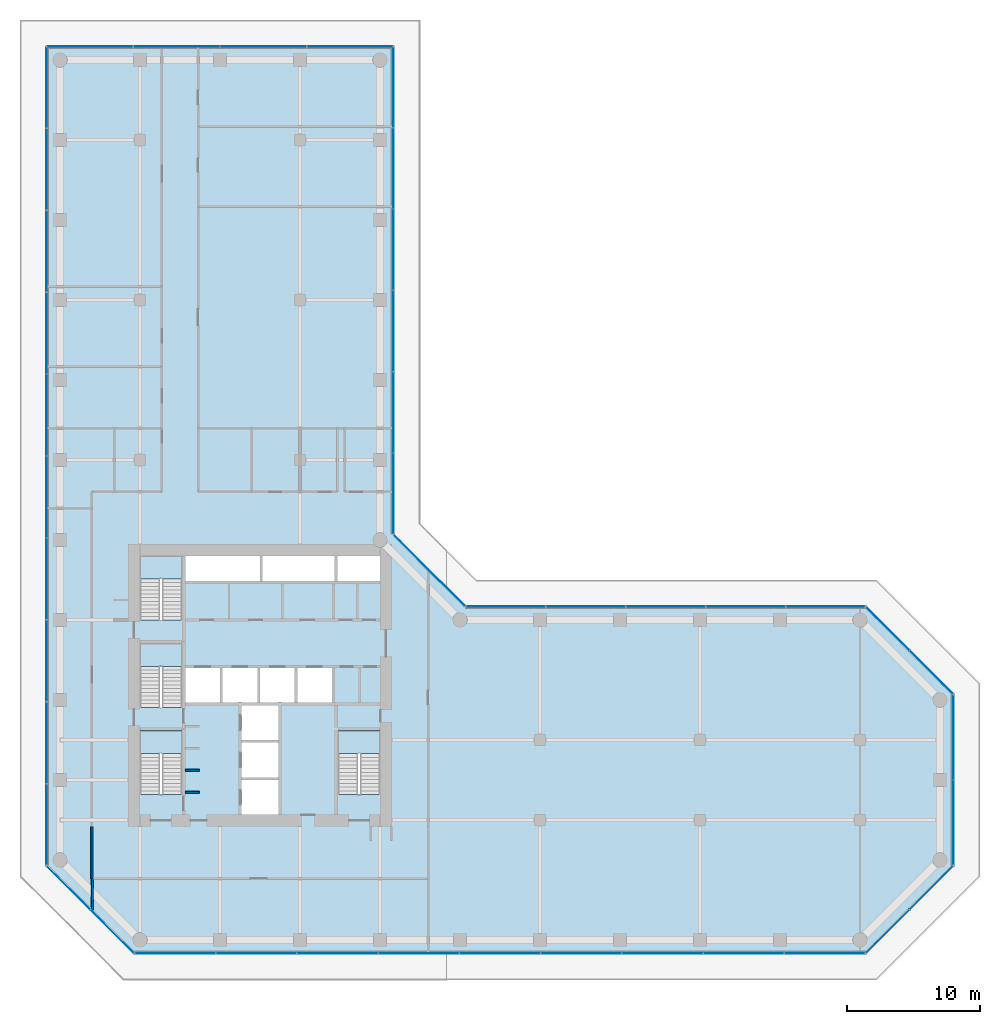
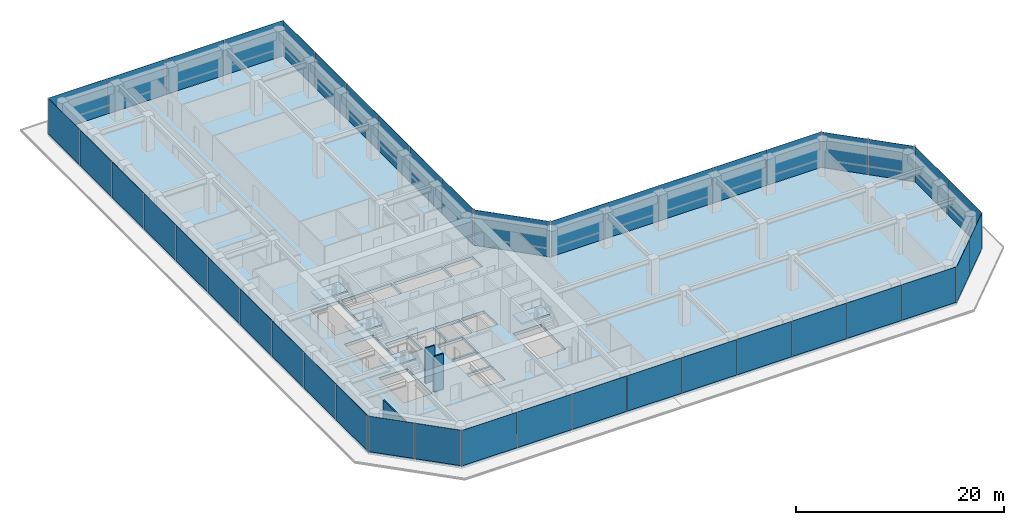
# One storey, part 20 of 24: 43 plates, 5 slabs, 4 walls, 14 elements without a shape of their own.
"""IFC4 building model written with IfcOpenShell, lengths in metres."""

from ifc_helpers import new_model, si_unit, direction, frame, frame_2d, origin, origin_2d, place, context, subcontext, project, spatial, polyline, rectangle, outline, extrude, material, layer, layer_set, type_object, element, aggregate, save


model = new_model("IFC4")

# Units and contexts
model_context = context("Model", 3, precision=1e-05, world=origin(), true_north=direction((0.0, 1.0)))
body_context = subcontext(model_context, "Body", "Model", "MODEL_VIEW")
ifc_project = project(units=[si_unit("LENGTHUNIT", "METRE"), si_unit("AREAUNIT", "SQUARE_METRE"), si_unit("VOLUMEUNIT", "CUBIC_METRE"), si_unit("PLANEANGLEUNIT", "RADIAN"), si_unit("MASSUNIT", "GRAM", prefix="KILO")], contexts=[model_context])

# Site, building, storey
site_placement = place(None, origin())
site = spatial("IfcSite", under=ifc_project, at=site_placement, CompositionType="ELEMENT")
building_placement = place(site_placement, origin())
building = spatial("IfcBuilding", under=site, at=building_placement, Name="Welwitschia Terrace Campus", CompositionType="ELEMENT")
storey_placement = place(building_placement, frame((0.0, 0.0, 24.5)))
storey = spatial("IfcBuildingStorey", under=building, at=storey_placement, Name="L05", CompositionType="ELEMENT", Elevation=24.5)

# Curtain wall, plates
ifc_material_1 = material(Name="Bronze anodised aluminium", Category="aluminium")
ifc_layer_1 = layer(ifc_material_1, 0.1201171875)
ifc_layer_set_1 = layer_set([ifc_layer_1], Name="Bronze anodised aluminium")
curtain_wall_type = type_object("IfcCurtainWallType", Name="Curtain wall CW2 tower 6000", PredefinedType="NOTDEFINED", material=ifc_layer_set_1)
curtain_wall_1_placement = place(storey_placement, origin())
curtain_wall_1 = element("IfcCurtainWall", 1, at=curtain_wall_1_placement, inside=storey, type_object=curtain_wall_type, Name="CW L05.0.0", PredefinedType="NOTDEFINED")
ifc_material_2 = material(Name="Tinted bronze-grey glass", Category="glass")
ifc_layer_2 = layer(ifc_material_2, 0.028076171875)
ifc_layer_set_2 = layer_set([ifc_layer_2], Name="Tinted bronze-grey glass")
plate_type = type_object("IfcPlateType", Name="Glass panel 28 tinted", PredefinedType="CURTAIN_PANEL", material=ifc_layer_set_2)
plate_1_placement = place(storey_placement, frame((0.639892578125, -0.08251953125, 0.0), z_axis=(0.0, 0.0, 1.0), x_axis=(0.707106781187, -0.707106781187, 0.0)))
plate_1 = element("IfcPlate", 2, at=plate_1_placement, type_object=plate_type, Name="Panel L05.0.0.0", PredefinedType="CURTAIN_PANEL", context=body_context, shape_type="SweptSolid", body=[
    extrude(rectangle(XDim=4.5751953125, YDim=0.028076171875, at=origin_2d()), origin(), (0.0, 0.0, 1.0), 4.14990234375),
])
plate_2_placement = place(storey_placement, frame((3.91748046875, -3.360107421875, 0.0), z_axis=(0.0, 0.0, 1.0), x_axis=(0.707106781187, -0.707106781187, 0.0)))
plate_2 = element("IfcPlate", 3, at=plate_2_placement, type_object=plate_type, Name="Panel L05.0.0.1", PredefinedType="CURTAIN_PANEL", context=body_context, shape_type="SweptSolid", body=[
    extrude(rectangle(XDim=4.5751953125, YDim=0.028076171875, at=origin_2d()), origin(), (0.0, 0.0, 1.0), 4.14990234375),
])
aggregate(curtain_wall_1, [plate_1, plate_2])

curtain_wall_2_placement = place(storey_placement, origin())
curtain_wall_2 = element("IfcCurtainWall", 4, at=curtain_wall_2_placement, inside=storey, type_object=curtain_wall_type, Name="CW L05.1.0", PredefinedType="NOTDEFINED")
plate_3_placement = place(storey_placement, frame((8.639404296875, -5.02001953125, 0.0), z_axis=(0.0, 0.0, 1.0), x_axis=(1.0, 0.0, 0.0)))
plate_3 = element("IfcPlate", 5, at=plate_3_placement, type_object=plate_type, Name="Panel L05.1.0.0", PredefinedType="CURTAIN_PANEL", context=body_context, shape_type="SweptSolid", body=[
    extrude(rectangle(XDim=6.00390625, YDim=0.028076171875, at=origin_2d()), origin(), (0.0, 0.0, 1.0), 4.14990234375),
])
plate_4_placement = place(storey_placement, frame((14.71826171875, -5.02001953125, 0.0), z_axis=(0.0, 0.0, 1.0), x_axis=(1.0, 0.0, 0.0)))
plate_4 = element("IfcPlate", 6, at=plate_4_placement, type_object=plate_type, Name="Panel L05.1.0.1", PredefinedType="CURTAIN_PANEL", context=body_context, shape_type="SweptSolid", body=[
    extrude(rectangle(XDim=6.033935546875, YDim=0.028076171875, at=origin_2d()), origin(), (0.0, 0.0, 1.0), 4.14990234375),
])
plate_5_placement = place(storey_placement, frame((20.812255859375, -5.02001953125, 0.0), z_axis=(0.0, 0.0, 1.0), x_axis=(1.0, 0.0, 0.0)))
plate_5 = element("IfcPlate", 7, at=plate_5_placement, type_object=plate_type, Name="Panel L05.1.0.2", PredefinedType="CURTAIN_PANEL", context=body_context, shape_type="SweptSolid", body=[
    extrude(rectangle(XDim=6.033935546875, YDim=0.028076171875, at=origin_2d()), origin(), (0.0, 0.0, 1.0), 4.14990234375),
])
plate_6_placement = place(storey_placement, frame((26.906005859375, -5.02001953125, 0.0), z_axis=(0.0, 0.0, 1.0), x_axis=(1.0, 0.0, 0.0)))
plate_6 = element("IfcPlate", 8, at=plate_6_placement, type_object=plate_type, Name="Panel L05.1.0.3", PredefinedType="CURTAIN_PANEL", context=body_context, shape_type="SweptSolid", body=[
    extrude(rectangle(XDim=6.033935546875, YDim=0.028076171875, at=origin_2d()), origin(), (0.0, 0.0, 1.0), 4.14990234375),
])
plate_7_placement = place(storey_placement, frame((33.0, -5.02001953125, 0.0), z_axis=(0.0, 0.0, 1.0), x_axis=(1.0, 0.0, 0.0)))
plate_7 = element("IfcPlate", 9, at=plate_7_placement, type_object=plate_type, Name="Panel L05.1.0.4", PredefinedType="CURTAIN_PANEL", context=body_context, shape_type="SweptSolid", body=[
    extrude(rectangle(XDim=6.033935546875, YDim=0.028076171875, at=origin_2d()), origin(), (0.0, 0.0, 1.0), 4.14990234375),
])
plate_8_placement = place(storey_placement, frame((39.093994140625, -5.02001953125, 0.0), z_axis=(0.0, 0.0, 1.0), x_axis=(1.0, 0.0, 0.0)))
plate_8 = element("IfcPlate", 10, at=plate_8_placement, type_object=plate_type, Name="Panel L05.1.0.5", PredefinedType="CURTAIN_PANEL", context=body_context, shape_type="SweptSolid", body=[
    extrude(rectangle(XDim=6.033935546875, YDim=0.028076171875, at=origin_2d()), origin(), (0.0, 0.0, 1.0), 4.14990234375),
])
plate_9_placement = place(storey_placement, frame((45.187744140625, -5.02001953125, 0.0), z_axis=(0.0, 0.0, 1.0), x_axis=(1.0, 0.0, 0.0)))
plate_9 = element("IfcPlate", 11, at=plate_9_placement, type_object=plate_type, Name="Panel L05.1.0.6", PredefinedType="CURTAIN_PANEL", context=body_context, shape_type="SweptSolid", body=[
    extrude(rectangle(XDim=6.033935546875, YDim=0.028076171875, at=origin_2d()), origin(), (0.0, 0.0, 1.0), 4.14990234375),
])
plate_10_placement = place(storey_placement, frame((51.28173828125, -5.02001953125, 0.0), z_axis=(0.0, 0.0, 1.0), x_axis=(1.0, 0.0, 0.0)))
plate_10 = element("IfcPlate", 12, at=plate_10_placement, type_object=plate_type, Name="Panel L05.1.0.7", PredefinedType="CURTAIN_PANEL", context=body_context, shape_type="SweptSolid", body=[
    extrude(rectangle(XDim=6.033935546875, YDim=0.028076171875, at=origin_2d()), origin(), (0.0, 0.0, 1.0), 4.14990234375),
])
plate_11_placement = place(storey_placement, frame((57.360595703125, -5.02001953125, 0.0), z_axis=(0.0, 0.0, 1.0), x_axis=(1.0, 0.0, 0.0)))
plate_11 = element("IfcPlate", 13, at=plate_11_placement, type_object=plate_type, Name="Panel L05.1.0.8", PredefinedType="CURTAIN_PANEL", context=body_context, shape_type="SweptSolid", body=[
    extrude(rectangle(XDim=6.00390625, YDim=0.028076171875, at=origin_2d()), origin(), (0.0, 0.0, 1.0), 4.14990234375),
])
aggregate(curtain_wall_2, [plate_3, plate_4, plate_5, plate_6, plate_7, plate_8, plate_9, plate_10, plate_11])

curtain_wall_3_placement = place(storey_placement, origin())
curtain_wall_3 = element("IfcCurtainWall", 14, at=curtain_wall_3_placement, inside=storey, type_object=curtain_wall_type, Name="CW L05.2.0", PredefinedType="NOTDEFINED")
plate_12_placement = place(storey_placement, frame((62.08251953125, -3.360107421875, 0.0), z_axis=(0.0, 0.0, 1.0), x_axis=(0.707106781187, 0.707106781187, 0.0)))
plate_12 = element("IfcPlate", 15, at=plate_12_placement, type_object=plate_type, Name="Panel L05.2.0.0", PredefinedType="CURTAIN_PANEL", context=body_context, shape_type="SweptSolid", body=[
    extrude(rectangle(XDim=4.5751953125, YDim=0.028076171875, at=origin_2d()), origin(), (0.0, 0.0, 1.0), 4.14990234375),
])
plate_13_placement = place(storey_placement, frame((65.360107421875, -0.08251953125, 0.0), z_axis=(0.0, 0.0, 1.0), x_axis=(0.707106781187, 0.707106781187, 0.0)))
plate_13 = element("IfcPlate", 16, at=plate_13_placement, type_object=plate_type, Name="Panel L05.2.0.1", PredefinedType="CURTAIN_PANEL", context=body_context, shape_type="SweptSolid", body=[
    extrude(rectangle(XDim=4.5751953125, YDim=0.028076171875, at=origin_2d()), origin(), (0.0, 0.0, 1.0), 4.14990234375),
])
aggregate(curtain_wall_3, [plate_12, plate_13])

curtain_wall_4_placement = place(storey_placement, origin())
curtain_wall_4 = element("IfcCurtainWall", 17, at=curtain_wall_4_placement, inside=storey, type_object=curtain_wall_type, Name="CW L05.3.0", PredefinedType="NOTDEFINED")
plate_14_placement = place(storey_placement, frame((67.02001953125, 4.8037109375, 0.0), z_axis=(0.0, 0.0, 1.0), x_axis=(0.0, 1.0, 0.0)))
plate_14 = element("IfcPlate", 18, at=plate_14_placement, type_object=plate_type, Name="Panel L05.3.0.0", PredefinedType="CURTAIN_PANEL", context=body_context, shape_type="SweptSolid", body=[
    extrude(rectangle(XDim=6.33251953125, YDim=0.028076171875, at=origin_2d()), origin(), (0.0, 0.0, 1.0), 4.14990234375),
])
plate_15_placement = place(storey_placement, frame((67.02001953125, 11.1962890625, 0.0), z_axis=(0.0, 0.0, 1.0), x_axis=(0.0, 1.0, 0.0)))
plate_15 = element("IfcPlate", 19, at=plate_15_placement, type_object=plate_type, Name="Panel L05.3.0.1", PredefinedType="CURTAIN_PANEL", context=body_context, shape_type="SweptSolid", body=[
    extrude(rectangle(XDim=6.33251953125, YDim=0.028076171875, at=origin_2d()), origin(), (0.0, 0.0, 1.0), 4.14990234375),
])
aggregate(curtain_wall_4, [plate_14, plate_15])

curtain_wall_5_placement = place(storey_placement, origin())
curtain_wall_5 = element("IfcCurtainWall", 20, at=curtain_wall_5_placement, inside=storey, type_object=curtain_wall_type, Name="CW L05.4.0", PredefinedType="NOTDEFINED")
plate_16_placement = place(storey_placement, frame((65.360107421875, 16.08251953125, 0.0), z_axis=(0.0, 0.0, 1.0), x_axis=(-0.707106781187, 0.707106781187, 0.0)))
plate_16 = element("IfcPlate", 21, at=plate_16_placement, type_object=plate_type, Name="Panel L05.4.0.0", PredefinedType="CURTAIN_PANEL", context=body_context, shape_type="SweptSolid", body=[
    extrude(rectangle(XDim=4.5751953125, YDim=0.028076171875, at=origin_2d()), origin(), (0.0, 0.0, 1.0), 4.14990234375),
])
plate_17_placement = place(storey_placement, frame((62.08251953125, 19.360107421875, 0.0), z_axis=(0.0, 0.0, 1.0), x_axis=(-0.707106781187, 0.707106781187, 0.0)))
plate_17 = element("IfcPlate", 22, at=plate_17_placement, type_object=plate_type, Name="Panel L05.4.0.1", PredefinedType="CURTAIN_PANEL", context=body_context, shape_type="SweptSolid", body=[
    extrude(rectangle(XDim=4.5751953125, YDim=0.028076171875, at=origin_2d()), origin(), (0.0, 0.0, 1.0), 4.14990234375),
])
aggregate(curtain_wall_5, [plate_16, plate_17])

curtain_wall_6_placement = place(storey_placement, origin())
curtain_wall_6 = element("IfcCurtainWall", 23, at=curtain_wall_6_placement, inside=storey, type_object=curtain_wall_type, Name="CW L05.5.0", PredefinedType="NOTDEFINED")
plate_18_placement = place(storey_placement, frame((57.407470703125, 21.02001953125, 0.0), z_axis=(0.0, 0.0, 1.0), x_axis=(-1.0, 0.0, 0.0)))
plate_18 = element("IfcPlate", 24, at=plate_18_placement, type_object=plate_type, Name="Panel L05.5.0.0", PredefinedType="CURTAIN_PANEL", context=body_context, shape_type="SweptSolid", body=[
    extrude(rectangle(XDim=5.909912109375, YDim=0.028076171875, at=origin_2d()), origin(), (0.0, 0.0, 1.0), 4.14990234375),
])
plate_19_placement = place(storey_placement, frame((51.422607421875, 21.02001953125, 0.0), z_axis=(0.0, 0.0, 1.0), x_axis=(-1.0, 0.0, 0.0)))
plate_19 = element("IfcPlate", 25, at=plate_19_placement, type_object=plate_type, Name="Panel L05.5.0.1", PredefinedType="CURTAIN_PANEL", context=body_context, shape_type="SweptSolid", body=[
    extrude(rectangle(XDim=5.93994140625, YDim=0.028076171875, at=origin_2d()), origin(), (0.0, 0.0, 1.0), 4.14990234375),
])
plate_20_placement = place(storey_placement, frame((45.422607421875, 21.02001953125, 0.0), z_axis=(0.0, 0.0, 1.0), x_axis=(-1.0, 0.0, 0.0)))
plate_20 = element("IfcPlate", 26, at=plate_20_placement, type_object=plate_type, Name="Panel L05.5.0.2", PredefinedType="CURTAIN_PANEL", context=body_context, shape_type="SweptSolid", body=[
    extrude(rectangle(XDim=5.93994140625, YDim=0.028076171875, at=origin_2d()), origin(), (0.0, 0.0, 1.0), 4.14990234375),
])
plate_21_placement = place(storey_placement, frame((39.422607421875, 21.02001953125, 0.0), z_axis=(0.0, 0.0, 1.0), x_axis=(-1.0, 0.0, 0.0)))
plate_21 = element("IfcPlate", 27, at=plate_21_placement, type_object=plate_type, Name="Panel L05.5.0.3", PredefinedType="CURTAIN_PANEL", context=body_context, shape_type="SweptSolid", body=[
    extrude(rectangle(XDim=5.93994140625, YDim=0.028076171875, at=origin_2d()), origin(), (0.0, 0.0, 1.0), 4.14990234375),
])
plate_22_placement = place(storey_placement, frame((33.4375, 21.02001953125, 0.0), z_axis=(0.0, 0.0, 1.0), x_axis=(-1.0, 0.0, 0.0)))
plate_22 = element("IfcPlate", 28, at=plate_22_placement, type_object=plate_type, Name="Panel L05.5.0.4", PredefinedType="CURTAIN_PANEL", context=body_context, shape_type="SweptSolid", body=[
    extrude(rectangle(XDim=5.909912109375, YDim=0.028076171875, at=origin_2d()), origin(), (0.0, 0.0, 1.0), 4.14990234375),
])
aggregate(curtain_wall_6, [plate_18, plate_19, plate_20, plate_21, plate_22])

# Curtain wall, plate
curtain_wall_7_placement = place(storey_placement, origin())
curtain_wall_7 = element("IfcCurtainWall", 29, at=curtain_wall_7_placement, inside=storey, type_object=curtain_wall_type, Name="CW L05.6.0", PredefinedType="NOTDEFINED")
plate_23_placement = place(storey_placement, frame((27.72119140625, 23.72119140625, 0.0), z_axis=(0.0, 0.0, 1.0), x_axis=(-0.707106781187, 0.707106781187, 0.0)))
plate_23 = element("IfcPlate", 30, at=plate_23_placement, type_object=plate_type, Name="Panel L05.6.0.0", PredefinedType="CURTAIN_PANEL", context=body_context, shape_type="SweptSolid", body=[
    extrude(rectangle(XDim=7.520263671875, YDim=0.028076171875, at=origin_2d()), origin(), (0.0, 0.0, 1.0), 4.14990234375),
])
aggregate(curtain_wall_7, [plate_23])

# Curtain wall, plates
curtain_wall_8_placement = place(storey_placement, origin())
curtain_wall_8 = element("IfcCurtainWall", 31, at=curtain_wall_8_placement, inside=storey, type_object=curtain_wall_type, Name="CW L05.7.0", PredefinedType="NOTDEFINED")
plate_24_placement = place(storey_placement, frame((25.02001953125, 29.4873046875, 0.0), z_axis=(0.0, 0.0, 1.0), x_axis=(0.0, 1.0, 0.0)))
plate_24 = element("IfcPlate", 32, at=plate_24_placement, type_object=plate_type, Name="Panel L05.7.0.0", PredefinedType="CURTAIN_PANEL", context=body_context, shape_type="SweptSolid", body=[
    extrude(rectangle(XDim=6.009521484375, YDim=0.028076171875, at=origin_2d()), origin(), (0.0, 0.0, 1.0), 4.14990234375),
])
plate_25_placement = place(storey_placement, frame((25.02001953125, 35.57177734375, 0.0), z_axis=(0.0, 0.0, 1.0), x_axis=(0.0, 1.0, 0.0)))
plate_25 = element("IfcPlate", 33, at=plate_25_placement, type_object=plate_type, Name="Panel L05.7.0.1", PredefinedType="CURTAIN_PANEL", context=body_context, shape_type="SweptSolid", body=[
    extrude(rectangle(XDim=6.03955078125, YDim=0.028076171875, at=origin_2d()), origin(), (0.0, 0.0, 1.0), 4.14990234375),
])
plate_26_placement = place(storey_placement, frame((25.02001953125, 41.67138671875, 0.0), z_axis=(0.0, 0.0, 1.0), x_axis=(0.0, 1.0, 0.0)))
plate_26 = element("IfcPlate", 34, at=plate_26_placement, type_object=plate_type, Name="Panel L05.7.0.2", PredefinedType="CURTAIN_PANEL", context=body_context, shape_type="SweptSolid", body=[
    extrude(rectangle(XDim=6.03955078125, YDim=0.028076171875, at=origin_2d()), origin(), (0.0, 0.0, 1.0), 4.14990234375),
])
plate_27_placement = place(storey_placement, frame((25.02001953125, 47.77099609375, 0.0), z_axis=(0.0, 0.0, 1.0), x_axis=(0.0, 1.0, 0.0)))
plate_27 = element("IfcPlate", 35, at=plate_27_placement, type_object=plate_type, Name="Panel L05.7.0.3", PredefinedType="CURTAIN_PANEL", context=body_context, shape_type="SweptSolid", body=[
    extrude(rectangle(XDim=6.03955078125, YDim=0.028076171875, at=origin_2d()), origin(), (0.0, 0.0, 1.0), 4.14990234375),
])
plate_28_placement = place(storey_placement, frame((25.02001953125, 53.87060546875, 0.0), z_axis=(0.0, 0.0, 1.0), x_axis=(0.0, 1.0, 0.0)))
plate_28 = element("IfcPlate", 36, at=plate_28_placement, type_object=plate_type, Name="Panel L05.7.0.4", PredefinedType="CURTAIN_PANEL", context=body_context, shape_type="SweptSolid", body=[
    extrude(rectangle(XDim=6.03955078125, YDim=0.028076171875, at=origin_2d()), origin(), (0.0, 0.0, 1.0), 4.14990234375),
])
plate_29_placement = place(storey_placement, frame((25.02001953125, 59.955322265625, 0.0), z_axis=(0.0, 0.0, 1.0), x_axis=(0.0, 1.0, 0.0)))
plate_29 = element("IfcPlate", 37, at=plate_29_placement, type_object=plate_type, Name="Panel L05.7.0.5", PredefinedType="CURTAIN_PANEL", context=body_context, shape_type="SweptSolid", body=[
    extrude(rectangle(XDim=6.009521484375, YDim=0.028076171875, at=origin_2d()), origin(), (0.0, 0.0, 1.0), 4.14990234375),
])
aggregate(curtain_wall_8, [plate_24, plate_25, plate_26, plate_27, plate_28, plate_29])

curtain_wall_9_placement = place(storey_placement, origin())
curtain_wall_9 = element("IfcCurtainWall", 38, at=curtain_wall_9_placement, inside=storey, type_object=curtain_wall_type, Name="CW L05.8.0", PredefinedType="NOTDEFINED")
plate_30_placement = place(storey_placement, frame((21.75, 63.02001953125, 0.0), z_axis=(0.0, 0.0, 1.0), x_axis=(-1.0, 0.0, 0.0)))
plate_30 = element("IfcPlate", 39, at=plate_30_placement, type_object=plate_type, Name="Panel L05.8.0.0", PredefinedType="CURTAIN_PANEL", context=body_context, shape_type="SweptSolid", body=[
    extrude(rectangle(XDim=6.419921875, YDim=0.028076171875, at=origin_2d()), origin(), (0.0, 0.0, 1.0), 4.14990234375),
])
plate_31_placement = place(storey_placement, frame((15.2548828125, 63.02001953125, 0.0), z_axis=(0.0, 0.0, 1.0), x_axis=(-1.0, 0.0, 0.0)))
plate_31 = element("IfcPlate", 40, at=plate_31_placement, type_object=plate_type, Name="Panel L05.8.0.1", PredefinedType="CURTAIN_PANEL", context=body_context, shape_type="SweptSolid", body=[
    extrude(rectangle(XDim=6.449951171875, YDim=0.028076171875, at=origin_2d()), origin(), (0.0, 0.0, 1.0), 4.14990234375),
])
plate_32_placement = place(storey_placement, frame((8.7451171875, 63.02001953125, 0.0), z_axis=(0.0, 0.0, 1.0), x_axis=(-1.0, 0.0, 0.0)))
plate_32 = element("IfcPlate", 41, at=plate_32_placement, type_object=plate_type, Name="Panel L05.8.0.2", PredefinedType="CURTAIN_PANEL", context=body_context, shape_type="SweptSolid", body=[
    extrude(rectangle(XDim=6.449951171875, YDim=0.028076171875, at=origin_2d()), origin(), (0.0, 0.0, 1.0), 4.14990234375),
])
plate_33_placement = place(storey_placement, frame((2.25, 63.02001953125, 0.0), z_axis=(0.0, 0.0, 1.0), x_axis=(-1.0, 0.0, 0.0)))
plate_33 = element("IfcPlate", 42, at=plate_33_placement, type_object=plate_type, Name="Panel L05.8.0.3", PredefinedType="CURTAIN_PANEL", context=body_context, shape_type="SweptSolid", body=[
    extrude(rectangle(XDim=6.419921875, YDim=0.028076171875, at=origin_2d()), origin(), (0.0, 0.0, 1.0), 4.14990234375),
])
aggregate(curtain_wall_9, [plate_30, plate_31, plate_32, plate_33])

curtain_wall_10_placement = place(storey_placement, origin())
curtain_wall_10 = element("IfcCurtainWall", 43, at=curtain_wall_10_placement, inside=storey, type_object=curtain_wall_type, Name="CW L05.9.0", PredefinedType="NOTDEFINED")
plate_34_placement = place(storey_placement, frame((-1.02001953125, 59.932861328125, 0.0), z_axis=(0.0, 0.0, 1.0), x_axis=(0.0, -1.0, 0.0)))
plate_34 = element("IfcPlate", 44, at=plate_34_placement, type_object=plate_type, Name="Panel L05.9.0.0", PredefinedType="CURTAIN_PANEL", context=body_context, shape_type="SweptSolid", body=[
    extrude(rectangle(XDim=6.05419921875, YDim=0.028076171875, at=origin_2d()), origin(), (0.0, 0.0, 1.0), 4.14990234375),
])
plate_35_placement = place(storey_placement, frame((-1.02001953125, 53.8037109375, 0.0), z_axis=(0.0, 0.0, 1.0), x_axis=(0.0, -1.0, 0.0)))
plate_35 = element("IfcPlate", 45, at=plate_35_placement, type_object=plate_type, Name="Panel L05.9.0.1", PredefinedType="CURTAIN_PANEL", context=body_context, shape_type="SweptSolid", body=[
    extrude(rectangle(XDim=6.084228515625, YDim=0.028076171875, at=origin_2d()), origin(), (0.0, 0.0, 1.0), 4.14990234375),
])
plate_36_placement = place(storey_placement, frame((-1.02001953125, 47.659423828125, 0.0), z_axis=(0.0, 0.0, 1.0), x_axis=(0.0, -1.0, 0.0)))
plate_36 = element("IfcPlate", 46, at=plate_36_placement, type_object=plate_type, Name="Panel L05.9.0.2", PredefinedType="CURTAIN_PANEL", context=body_context, shape_type="SweptSolid", body=[
    extrude(rectangle(XDim=6.084228515625, YDim=0.028076171875, at=origin_2d()), origin(), (0.0, 0.0, 1.0), 4.14990234375),
])
plate_37_placement = place(storey_placement, frame((-1.02001953125, 41.51513671875, 0.0), z_axis=(0.0, 0.0, 1.0), x_axis=(0.0, -1.0, 0.0)))
plate_37 = element("IfcPlate", 47, at=plate_37_placement, type_object=plate_type, Name="Panel L05.9.0.3", PredefinedType="CURTAIN_PANEL", context=body_context, shape_type="SweptSolid", body=[
    extrude(rectangle(XDim=6.084228515625, YDim=0.028076171875, at=origin_2d()), origin(), (0.0, 0.0, 1.0), 4.14990234375),
])
plate_38_placement = place(storey_placement, frame((-1.02001953125, 35.370849609375, 0.0), z_axis=(0.0, 0.0, 1.0), x_axis=(0.0, -1.0, 0.0)))
plate_38 = element("IfcPlate", 48, at=plate_38_placement, type_object=plate_type, Name="Panel L05.9.0.4", PredefinedType="CURTAIN_PANEL", context=body_context, shape_type="SweptSolid", body=[
    extrude(rectangle(XDim=6.084228515625, YDim=0.028076171875, at=origin_2d()), origin(), (0.0, 0.0, 1.0), 4.14990234375),
])
plate_39_placement = place(storey_placement, frame((-1.02001953125, 29.2265625, 0.0), z_axis=(0.0, 0.0, 1.0), x_axis=(0.0, -1.0, 0.0)))
plate_39 = element("IfcPlate", 49, at=plate_39_placement, type_object=plate_type, Name="Panel L05.9.0.5", PredefinedType="CURTAIN_PANEL", context=body_context, shape_type="SweptSolid", body=[
    extrude(rectangle(XDim=6.084228515625, YDim=0.028076171875, at=origin_2d()), origin(), (0.0, 0.0, 1.0), 4.14990234375),
])
plate_40_placement = place(storey_placement, frame((-1.02001953125, 23.082275390625, 0.0), z_axis=(0.0, 0.0, 1.0), x_axis=(0.0, -1.0, 0.0)))
plate_40 = element("IfcPlate", 50, at=plate_40_placement, type_object=plate_type, Name="Panel L05.9.0.6", PredefinedType="CURTAIN_PANEL", context=body_context, shape_type="SweptSolid", body=[
    extrude(rectangle(XDim=6.084228515625, YDim=0.028076171875, at=origin_2d()), origin(), (0.0, 0.0, 1.0), 4.14990234375),
])
plate_41_placement = place(storey_placement, frame((-1.02001953125, 16.938232421875, 0.0), z_axis=(0.0, 0.0, 1.0), x_axis=(0.0, -1.0, 0.0)))
plate_41 = element("IfcPlate", 51, at=plate_41_placement, type_object=plate_type, Name="Panel L05.9.0.7", PredefinedType="CURTAIN_PANEL", context=body_context, shape_type="SweptSolid", body=[
    extrude(rectangle(XDim=6.084228515625, YDim=0.028076171875, at=origin_2d()), origin(), (0.0, 0.0, 1.0), 4.14990234375),
])
plate_42_placement = place(storey_placement, frame((-1.02001953125, 10.7939453125, 0.0), z_axis=(0.0, 0.0, 1.0), x_axis=(0.0, -1.0, 0.0)))
plate_42 = element("IfcPlate", 52, at=plate_42_placement, type_object=plate_type, Name="Panel L05.9.0.8", PredefinedType="CURTAIN_PANEL", context=body_context, shape_type="SweptSolid", body=[
    extrude(rectangle(XDim=6.084228515625, YDim=0.028076171875, at=origin_2d()), origin(), (0.0, 0.0, 1.0), 4.14990234375),
])
plate_43_placement = place(storey_placement, frame((-1.02001953125, 4.66455078125, 0.0), z_axis=(0.0, 0.0, 1.0), x_axis=(0.0, -1.0, 0.0)))
plate_43 = element("IfcPlate", 53, at=plate_43_placement, type_object=plate_type, Name="Panel L05.9.0.9", PredefinedType="CURTAIN_PANEL", context=body_context, shape_type="SweptSolid", body=[
    extrude(rectangle(XDim=6.05419921875, YDim=0.028076171875, at=origin_2d()), origin(), (0.0, 0.0, 1.0), 4.14990234375),
])
aggregate(curtain_wall_10, [plate_34, plate_35, plate_36, plate_37, plate_38, plate_39, plate_40, plate_41, plate_42, plate_43])

# Stair, slab
ifc_material_3 = material(Name="Concrete C40/50", Category="concrete")
stair_type = type_object("IfcStairType", Name="Stair 24R 188 W1500", PredefinedType="HALF_TURN_STAIR", material=ifc_material_3)
stair_1_placement = place(storey_placement, origin())
stair_1 = element("IfcStair", 54, at=stair_1_placement, inside=storey, type_object=stair_type, Name="L05 Exit stair S1", PredefinedType="HALF_TURN_STAIR")
ifc_material_4 = material(Name="Concrete C40/50", Category="concrete")
ifc_layer_3 = layer(ifc_material_4, 0.199951171875)
ifc_layer_set_3 = layer_set([ifc_layer_3], Name="Concrete C40/50")
slab_type_1 = type_object("IfcSlabType", Name="Stair landing RC", PredefinedType="LANDING", material=ifc_layer_set_3)
slab_1_placement = place(storey_placement, frame((0.0, 0.0, 2.050048828125)))
slab_1 = element("IfcSlab", 55, at=slab_1_placement, type_object=slab_type_1, Name="S1 landing 1", PredefinedType="LANDING", context=body_context, shape_type="SweptSolid", body=[
    extrude(outline(polyline([(9.14990234375, 9.97998046875), (9.14990234375, 11.699951171875), (6.0, 11.699951171875), (6.0, 9.97998046875), (9.14990234375, 9.97998046875)])), origin(), (0.0, 0.0, 1.0), 0.199951171875),
])
aggregate(stair_1, [slab_1])

stair_2_placement = place(storey_placement, origin())
stair_2 = element("IfcStair", 56, at=stair_2_placement, inside=storey, type_object=stair_type, Name="L05 Exit stair S3", PredefinedType="HALF_TURN_STAIR")
slab_2_placement = place(storey_placement, frame((0.0, 0.0, 2.050048828125)))
slab_2 = element("IfcSlab", 57, at=slab_2_placement, type_object=slab_type_1, Name="S3 landing 1", PredefinedType="LANDING", context=body_context, shape_type="SweptSolid", body=[
    extrude(outline(polyline([(9.14990234375, 16.530029296875), (9.14990234375, 18.25), (6.0, 18.25), (6.0, 16.530029296875), (9.14990234375, 16.530029296875)])), origin(), (0.0, 0.0, 1.0), 0.199951171875),
])
aggregate(stair_2, [slab_2])

stair_3_placement = place(storey_placement, origin())
stair_3 = element("IfcStair", 58, at=stair_3_placement, inside=storey, type_object=stair_type, Name="L05 Exit stair S4", PredefinedType="HALF_TURN_STAIR")
slab_3_placement = place(storey_placement, frame((0.0, 0.0, 2.050048828125)))
slab_3 = element("IfcSlab", 59, at=slab_3_placement, type_object=slab_type_1, Name="S4 landing 1", PredefinedType="LANDING", context=body_context, shape_type="SweptSolid", body=[
    extrude(outline(polyline([(9.14990234375, 23.080078125), (9.14990234375, 24.800048828125), (6.0, 24.800048828125), (6.0, 23.080078125), (9.14990234375, 23.080078125)])), origin(), (0.0, 0.0, 1.0), 0.199951171875),
])
aggregate(stair_3, [slab_3])

stair_4_placement = place(storey_placement, origin())
stair_4 = element("IfcStair", 60, at=stair_4_placement, inside=storey, type_object=stair_type, Name="L05 Exit stair S2", PredefinedType="HALF_TURN_STAIR")
slab_4_placement = place(storey_placement, frame((0.0, 0.0, 2.050048828125)))
slab_4 = element("IfcSlab", 61, at=slab_4_placement, type_object=slab_type_1, Name="S2 landing 1", PredefinedType="LANDING", context=body_context, shape_type="SweptSolid", body=[
    extrude(outline(polyline([(24.0, 9.97998046875), (24.0, 11.699951171875), (20.85009765625, 11.699951171875), (20.85009765625, 9.97998046875), (24.0, 9.97998046875)])), origin(), (0.0, 0.0, 1.0), 0.199951171875),
])
aggregate(stair_4, [slab_4])

# Slab
ifc_material_5 = material(Name="Concrete C40/50", Category="concrete")
ifc_layer_4 = layer(ifc_material_5, 0.35009765625)
ifc_layer_set_4 = layer_set([ifc_layer_4], Name="Concrete C40/50")
slab_type_2 = type_object("IfcSlabType", Name="Suspended floor slab 350", PredefinedType="FLOOR", material=ifc_layer_set_4)
slab_5_placement = place(storey_placement, frame((0.0, 0.0, -0.35009765625)))
element("IfcSlab", 62, at=slab_5_placement, inside=storey, type_object=slab_type_2, Name="Floor slab L05", PredefinedType="FLOOR", context=body_context, shape_type="SweptSolid", body=[
    extrude(outline(polyline([(-1.0, 63.0), (25.0, 63.0), (25.0, 26.414306640625), (30.414306640625, 21.0), (60.414306640625, 21.0), (67.0, 14.414306640625), (67.0, 1.585693359375), (60.414306640625, -5.0), (5.585693359375, -5.0), (-1.0, 1.585693359375), (-1.0, 63.0)]), holes=[polyline([(13.60009765625, 8.0), (13.60009765625, 5.39990234375), (16.39990234375, 5.39990234375), (16.39990234375, 8.0), (13.60009765625, 8.0)]), polyline([(9.14990234375, 11.699951171875), (6.0, 11.699951171875), (6.0, 6.902099609375), (9.14990234375, 6.902099609375), (9.14990234375, 11.699951171875)]), polyline([(12.0, 16.39990234375), (9.39990234375, 16.39990234375), (9.39990234375, 13.800048828125), (12.0, 13.800048828125), (12.0, 16.39990234375)]), polyline([(14.800048828125, 16.39990234375), (12.199951171875, 16.39990234375), (12.199951171875, 13.800048828125), (14.800048828125, 13.800048828125), (14.800048828125, 16.39990234375)]), polyline([(9.14990234375, 18.25), (6.0, 18.25), (6.0, 13.451904296875), (9.14990234375, 13.451904296875), (9.14990234375, 18.25)]), polyline([(9.14990234375, 24.800048828125), (6.0, 24.800048828125), (6.0, 20.001953125), (9.14990234375, 20.001953125), (9.14990234375, 24.800048828125)]), polyline([(15.0, 24.800048828125), (9.39990234375, 24.800048828125), (9.39990234375, 22.89990234375), (15.0, 22.89990234375), (15.0, 24.800048828125)]), polyline([(20.85009765625, 11.699951171875), (20.85009765625, 6.902099609375), (24.0, 6.902099609375), (24.0, 11.699951171875), (20.85009765625, 11.699951171875)]), polyline([(16.39990234375, 10.800048828125), (13.60009765625, 10.800048828125), (13.60009765625, 8.199951171875), (16.39990234375, 8.199951171875), (16.39990234375, 10.800048828125)]), polyline([(16.39990234375, 13.60009765625), (13.60009765625, 13.60009765625), (13.60009765625, 11.0), (16.39990234375, 11.0), (16.39990234375, 13.60009765625)]), polyline([(17.60009765625, 16.39990234375), (15.0, 16.39990234375), (15.0, 13.800048828125), (17.60009765625, 13.800048828125), (17.60009765625, 16.39990234375)]), polyline([(20.39990234375, 16.39990234375), (17.800048828125, 16.39990234375), (17.800048828125, 13.800048828125), (20.39990234375, 13.800048828125), (20.39990234375, 16.39990234375)]), polyline([(20.60009765625, 24.800048828125), (15.199951171875, 24.800048828125), (15.199951171875, 22.89990234375), (20.60009765625, 22.89990234375), (20.60009765625, 24.800048828125)]), polyline([(24.0, 24.800048828125), (20.800048828125, 24.800048828125), (20.800048828125, 22.89990234375), (24.0, 22.89990234375), (24.0, 24.800048828125)])]), origin(), (0.0, 0.0, 1.0), 0.35009765625),
])

# Walls
ifc_material_6 = material(Name="Concrete C50/60", Category="concrete")
ifc_layer_5 = layer(ifc_material_6, 0.14990234375)
ifc_layer_set_5 = layer_set([ifc_layer_5], Name="Concrete C50/60")
wall_type_1 = type_object("IfcWallType", Name="Core wall 150 Concrete C50/60", PredefinedType="SHEAR", material=ifc_layer_set_5)
for number, where, z_axis, x_axis, name in (
    (63, (9.39990234375, 7.074951171875, 0.0), (0.0, 0.0, 1.0), (1.0, 0.0, 0.0), "Core wall"),
    (64, (9.39990234375, 8.72509765625, 0.0), (0.0, 0.0, 1.0), (1.0, 0.0, 0.0), "Core wall"),
):
    element("IfcWall", number, at=place(storey_placement, frame(where, z_axis=z_axis, x_axis=x_axis)), inside=storey, type_object=wall_type_1, Name=name, PredefinedType="SHEAR", context=body_context, shape_type="SweptSolid", body=[
        extrude(rectangle(XDim=1.050048828125, YDim=0.14990234375, at=frame_2d((0.52490234375, 0.0))), origin(), (0.0, 0.0, 1.0), 4.14990234375),
    ])
ifc_material_7 = material(Name="Gypsum board on steel studs", Category="steel")
ifc_layer_6 = layer(ifc_material_7, 0.14990234375)
ifc_layer_set_6 = layer_set([ifc_layer_6], Name="Gypsum board on steel studs")
wall_type_2 = type_object("IfcWallType", Name="Corridor partition 150 EI 30", PredefinedType="PARTITIONING", material=ifc_layer_set_6)
wall_1_placement = place(storey_placement, frame((2.39990234375, 0.60009765625, 0.0), z_axis=(0.0, 0.0, 1.0), x_axis=(0.0, 1.0, 0.0)))
element("IfcWall", 65, at=wall_1_placement, inside=storey, type_object=wall_type_2, Name="Partition", PredefinedType="PARTITIONING", context=body_context, shape_type="SweptSolid", body=[
    extrude(rectangle(XDim=3.89990234375, YDim=0.14990234375, at=frame_2d((1.949951171875, 0.0))), origin(), (0.0, 0.0, 1.0), 3.080078125),
])
wall_2_placement = place(storey_placement, frame((2.4296875, -1.77001953125, 0.0), z_axis=(0.0, 0.0, 1.0), x_axis=(0.0, 1.0, 0.0)))
element("IfcWall", 66, at=wall_2_placement, inside=storey, type_object=wall_type_2, Name="Partition", PredefinedType="PARTITIONING", context=body_context, shape_type="SweptSolid", body=[
    extrude(rectangle(XDim=2.3701171875, YDim=0.14990234375, at=frame_2d((1.18505859375, 0.0))), origin(), (0.0, 0.0, 1.0), 3.080078125),
])

save(model, "model.ifc")
